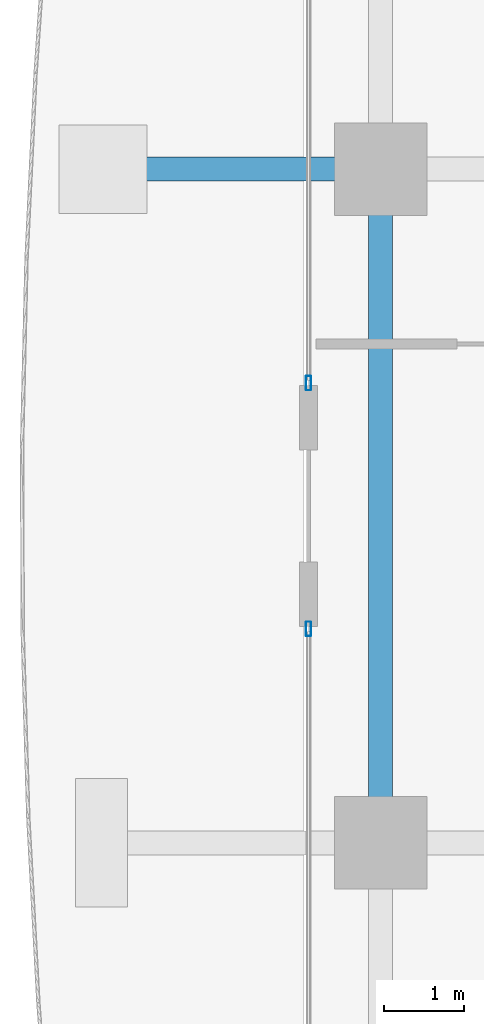
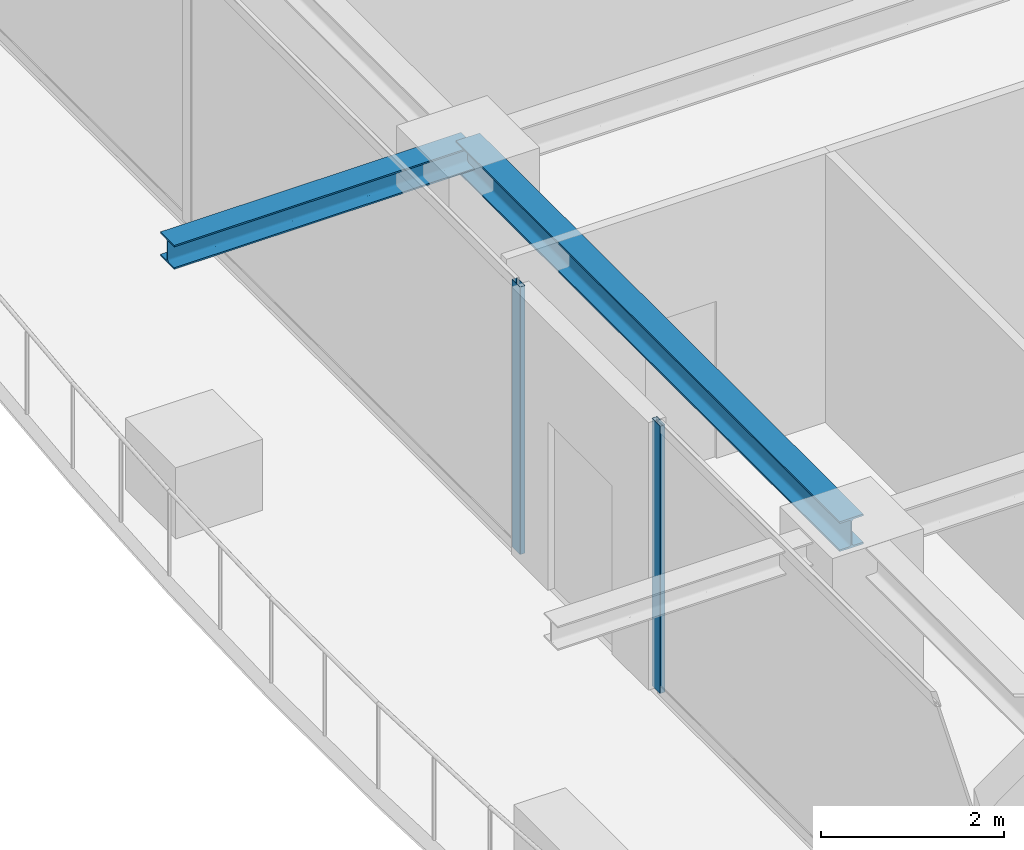
# One storey, part 9 of 37: 2 beams, 2 members, 2 elements without a shape of their own.
"""IFC4 building model written with IfcOpenShell, lengths in metres."""

from ifc_helpers import new_model, si_unit, direction, frame, origin, origin_2d, place, context, subcontext, project, spatial, hollow_rectangle, i_section, extrude, source, transform, mapped, material, layer, layer_set, material_profile, profile_set, type_object, element, aggregate, save


model = new_model("IFC4")

# Units and contexts
model_context = context("Model", 3, precision=1e-05, world=origin(), true_north=direction((0.0, 1.0)))
body_context = subcontext(model_context, "Body", "Model", "MODEL_VIEW")
ifc_project = project(units=[si_unit("LENGTHUNIT", "METRE"), si_unit("AREAUNIT", "SQUARE_METRE"), si_unit("VOLUMEUNIT", "CUBIC_METRE"), si_unit("PLANEANGLEUNIT", "RADIAN"), si_unit("MASSUNIT", "GRAM", prefix="KILO")], contexts=[model_context])

# Site, building, storey
site_placement = place(None, origin())
site = spatial("IfcSite", under=ifc_project, at=site_placement, CompositionType="ELEMENT")
building_placement = place(site_placement, origin())
building = spatial("IfcBuilding", under=site, at=building_placement, Name="Serunith Strait Residences", CompositionType="ELEMENT")
storey_placement = place(building_placement, frame((0.0, 0.0, 218.14990234375)))
storey = spatial("IfcBuildingStorey", under=building, at=storey_placement, Name="L54", CompositionType="ELEMENT", Elevation=218.14990234375)

# Beams
ifc_material_1 = material(Name="Steel S355J2", Category="steel")
ifc_material_profile_1 = material_profile(ifc_material_1, i_section(OverallWidth=0.300048828125, OverallDepth=0.39990234375, WebThickness=0.013427734375, FlangeThickness=0.02392578125, FilletRadius=0.027099609375, at=origin_2d()), Name="HEB 400")
ifc_profile_set_1 = profile_set([ifc_material_profile_1], Name="Steel S355J2")
beam_type_1 = type_object("IfcBeamType", Name="BM-HEB400", PredefinedType="BEAM", material=ifc_profile_set_1)
shared_shape_1 = source(origin(), body_context, "Body", "SweptSolid", [
    extrude(i_section(OverallWidth=0.300048828125, OverallDepth=0.39990234375, WebThickness=0.013427734375, FlangeThickness=0.02392578125, FilletRadius=0.027099609375, at=origin_2d()), origin(), (0.0, 0.0, 1.0), 8.39990234375),
])
beam_1_placement = place(storey_placement, frame((8.300048828125, 29.39990234375, 3.38720703125), z_axis=(0.0, -1.0, 0.0), x_axis=(1.0, 0.0, 0.0)))
element("IfcBeam", 1, at=beam_1_placement, inside=storey, type_object=beam_type_1, Name="L54 Perimeter Ring Beam 14", PredefinedType="BEAM", context=body_context, shape_type="MappedRepresentation", body=[
    mapped(shared_shape_1, transform((0.0, 0.0, 0.0), scale=1.0)),
])
ifc_material_profile_2 = material_profile(ifc_material_1, i_section(OverallWidth=0.300048828125, OverallDepth=0.320068359375, WebThickness=0.011474609375, FlangeThickness=0.0205078125, FilletRadius=0.027099609375, at=origin_2d()), Name="HEB 320")
ifc_profile_set_2 = profile_set([ifc_material_profile_2], Name="Steel S355J2")
beam_type_2 = type_object("IfcBeamType", Name="BM-HEB320", PredefinedType="BEAM", material=ifc_profile_set_2)
shared_shape_2 = source(origin(), body_context, "Body", "SweptSolid", [
    extrude(i_section(OverallWidth=0.300048828125, OverallDepth=0.320068359375, WebThickness=0.011474609375, FlangeThickness=0.0205078125, FilletRadius=0.027099609375, at=origin_2d()), origin(), (0.0, 0.0, 1.0), 3.800048828125),
])
beam_2_placement = place(storey_placement, frame((8.300048828125, 29.39990234375, 3.397216796875), z_axis=(-1.0, 0.0, 0.0), x_axis=(0.0, -1.0, 0.0)))
element("IfcBeam", 2, at=beam_2_placement, inside=storey, type_object=beam_type_2, Name="L55 Cantilevered Balcony Rib TC-W3", PredefinedType="BEAM", context=body_context, shape_type="MappedRepresentation", body=[
    mapped(shared_shape_2, transform((0.0, 0.0, 0.0), scale=1.0)),
])

# Curtain wall, member
ifc_material_2 = material(Name="Pale-Champagne Anodised Aluminium", Category="aluminium")
ifc_layer = layer(ifc_material_2, 0.199951171875, Name="Pale-Champagne Anodised Aluminium")
ifc_layer_set = layer_set([ifc_layer], Name="Pale-Champagne Anodised Aluminium")
curtain_wall_type = type_object("IfcCurtainWallType", Name="CW-SYS4", PredefinedType="NOTDEFINED", material=ifc_layer_set)
curtain_wall_1_placement = place(storey_placement, origin())
curtain_wall_1 = element("IfcCurtainWall", 3, at=curtain_wall_1_placement, inside=storey, type_object=curtain_wall_type, Name="L54 W Unitised Fritted Curtain Wall", PredefinedType="NOTDEFINED")
ifc_material_profile_3 = material_profile(ifc_material_2, hollow_rectangle(XDim=0.06494140625, YDim=0.179931640625, WallThickness=0.00341796875, InnerFilletRadius=0.00537109375, OuterFilletRadius=0.0087890625, at=origin_2d()), Name="ALU 180x65x3.5")
ifc_profile_set_3 = profile_set([ifc_material_profile_3], Name="Pale-Champagne Anodised Aluminium")
member_type = type_object("IfcMemberType", Name="CW-SYS4-MULL", PredefinedType="MULLION", material=ifc_profile_set_3)
shared_shape_3 = source(origin(), body_context, "Body", "SweptSolid", [
    extrude(hollow_rectangle(XDim=0.06494140625, YDim=0.179931640625, WallThickness=0.00341796875, InnerFilletRadius=0.00537109375, OuterFilletRadius=0.0087890625, at=origin_2d()), origin(), (0.0, 0.0, 1.0), 3.5751953125),
])
member_1_placement = place(storey_placement, frame((7.39990234375, 26.732421875, 0.0), z_axis=(0.0, 0.0, 1.0), x_axis=(1.0, 0.0, 0.0)))
member_1 = element("IfcMember", 4, at=member_1_placement, type_object=member_type, Name="CW-4 mullion 3", PredefinedType="MULLION", context=body_context, shape_type="MappedRepresentation", body=[
    mapped(shared_shape_3, transform((0.0, 0.0, 0.0), scale=1.0)),
])
aggregate(curtain_wall_1, [member_1])

curtain_wall_2_placement = place(storey_placement, origin())
curtain_wall_2 = element("IfcCurtainWall", 5, at=curtain_wall_2_placement, inside=storey, type_object=curtain_wall_type, Name="L54 W Unitised Fritted Curtain Wall", PredefinedType="NOTDEFINED")
member_2_placement = place(storey_placement, frame((7.39990234375, 23.66748046875, 0.0), z_axis=(0.0, 0.0, 1.0), x_axis=(1.0, 0.0, 0.0)))
member_2 = element("IfcMember", 6, at=member_2_placement, type_object=member_type, Name="CW-4 mullion 1", PredefinedType="MULLION", context=body_context, shape_type="MappedRepresentation", body=[
    mapped(shared_shape_3, transform((0.0, 0.0, 0.0), scale=1.0)),
])
aggregate(curtain_wall_2, [member_2])

save(model, "model.ifc")
